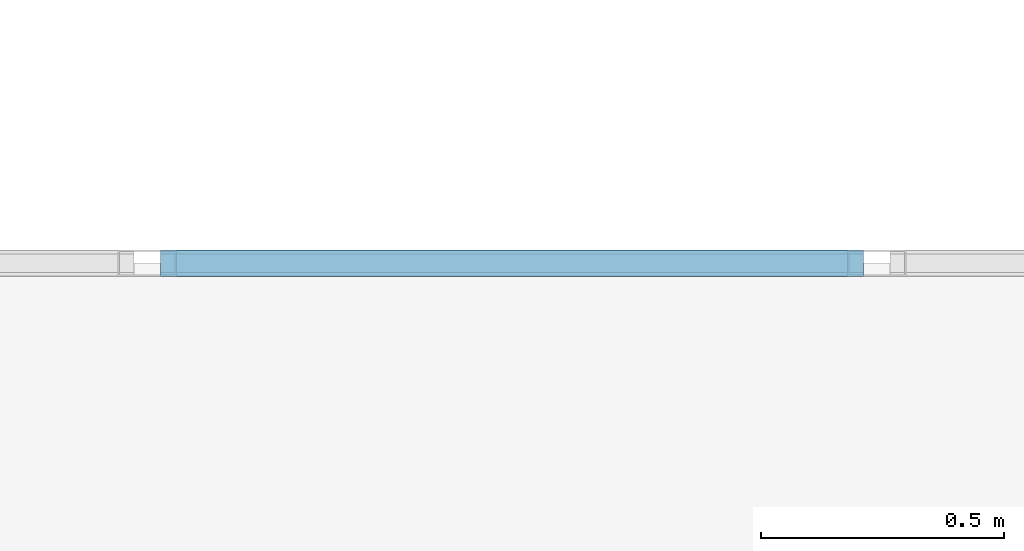
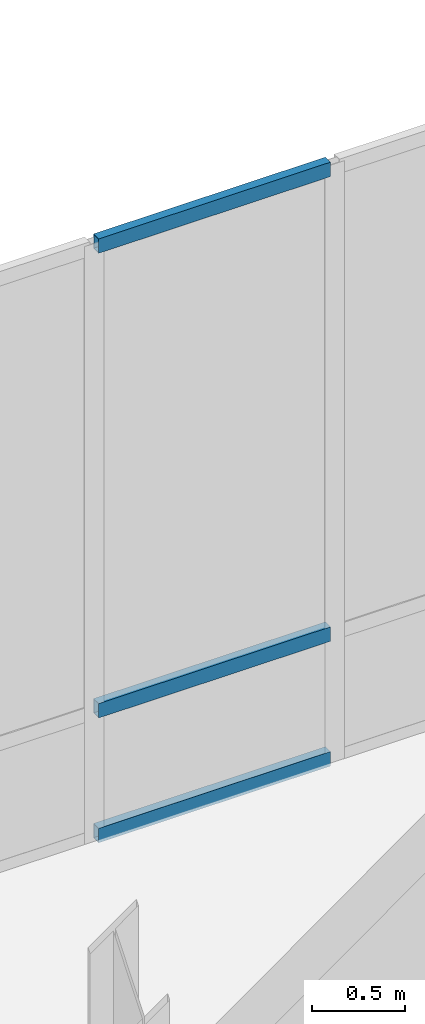
# One storey, part 20 of 97: 3 members, 1 element without a shape of its own.
"""IFC4 building model written with IfcOpenShell, lengths in metres."""

from ifc_helpers import new_model, si_unit, direction, frame, origin, origin_2d, place, context, subcontext, project, spatial, hollow_rectangle, extrude, material, material_profile, profile_set, type_object, element, aggregate, save


model = new_model("IFC4")

# Units and contexts
model_context = context("Model", 3, precision=1e-05, world=origin(), true_north=direction((0.0, 1.0)))
body_context = subcontext(model_context, "Body", "Model", "MODEL_VIEW")
ifc_project = project(units=[si_unit("LENGTHUNIT", "METRE"), si_unit("AREAUNIT", "SQUARE_METRE"), si_unit("VOLUMEUNIT", "CUBIC_METRE"), si_unit("PLANEANGLEUNIT", "RADIAN"), si_unit("MASSUNIT", "GRAM", prefix="KILO")], contexts=[model_context])

# Site, building, storey
site_placement = place(None, origin())
site = spatial("IfcSite", under=ifc_project, at=site_placement, CompositionType="ELEMENT")
building_placement = place(site_placement, origin())
building = spatial("IfcBuilding", under=site, at=building_placement, Name="Lykobir Media Centre", CompositionType="ELEMENT")
storey_placement = place(building_placement, frame((0.0, 0.0, 23.39990234375)))
storey = spatial("IfcBuildingStorey", under=building, at=storey_placement, Name="L05", CompositionType="ELEMENT", Elevation=23.39990234375)

# Curtain wall, members
ifc_material = material(Name="Anodized Aluminium AW-6060", Category="aluminium")
curtain_wall_type = type_object("IfcCurtainWallType", Name="CW-COURT-B", PredefinedType="NOTDEFINED", material=ifc_material)
curtain_wall_placement = place(storey_placement, origin())
curtain_wall = element("IfcCurtainWall", 1, at=curtain_wall_placement, inside=storey, type_object=curtain_wall_type, Name="Curtain wall CW2-L05-0191", PredefinedType="NOTDEFINED")
ifc_material_profile = material_profile(ifc_material, hollow_rectangle(XDim=0.054931640625, YDim=0.094970703125, WallThickness=0.0029296875, at=origin_2d()), Name="ALU TRANSOM 55x95")
ifc_profile_set = profile_set([ifc_material_profile], Name="Anodized Aluminium AW-6060")
member_type = type_object("IfcMemberType", Name="CWT-095", PredefinedType="USERDEFINED", material=ifc_profile_set)
member_1_placement = place(storey_placement, frame((46.527587890625, 21.0, 0.027587890625), z_axis=(1.0, 0.0, 0.0), x_axis=(0.0, 1.0, 0.0)))
member_1 = element("IfcMember", 2, at=member_1_placement, type_object=member_type, Name="CW2-L05-0191 transom 2.1", ObjectType="TRANSOM", PredefinedType="USERDEFINED", context=body_context, shape_type="SweptSolid", body=[
    extrude(hollow_rectangle(XDim=0.054931640625, YDim=0.094970703125, WallThickness=0.0029296875, at=origin_2d()), origin(), (0.0, 0.0, 1.0), 1.44482421875),
])
member_2_placement = place(storey_placement, frame((46.527587890625, 21.0, 0.85009765625), z_axis=(1.0, 0.0, 0.0), x_axis=(0.0, 1.0, 0.0)))
member_2 = element("IfcMember", 3, at=member_2_placement, type_object=member_type, Name="CW2-L05-0191 transom 2.2", ObjectType="TRANSOM", PredefinedType="USERDEFINED", context=body_context, shape_type="SweptSolid", body=[
    extrude(hollow_rectangle(XDim=0.054931640625, YDim=0.094970703125, WallThickness=0.0029296875, at=origin_2d()), origin(), (0.0, 0.0, 1.0), 1.44482421875),
])
member_3_placement = place(storey_placement, frame((46.527587890625, 21.0, 3.91259765625), z_axis=(1.0, 0.0, 0.0), x_axis=(0.0, 1.0, 0.0)))
member_3 = element("IfcMember", 4, at=member_3_placement, type_object=member_type, Name="CW2-L05-0191 transom 2.3", ObjectType="TRANSOM", PredefinedType="USERDEFINED", context=body_context, shape_type="SweptSolid", body=[
    extrude(hollow_rectangle(XDim=0.054931640625, YDim=0.094970703125, WallThickness=0.0029296875, at=origin_2d()), origin(), (0.0, 0.0, 1.0), 1.44482421875),
])
aggregate(curtain_wall, [member_1, member_2, member_3])

save(model, "model.ifc")
